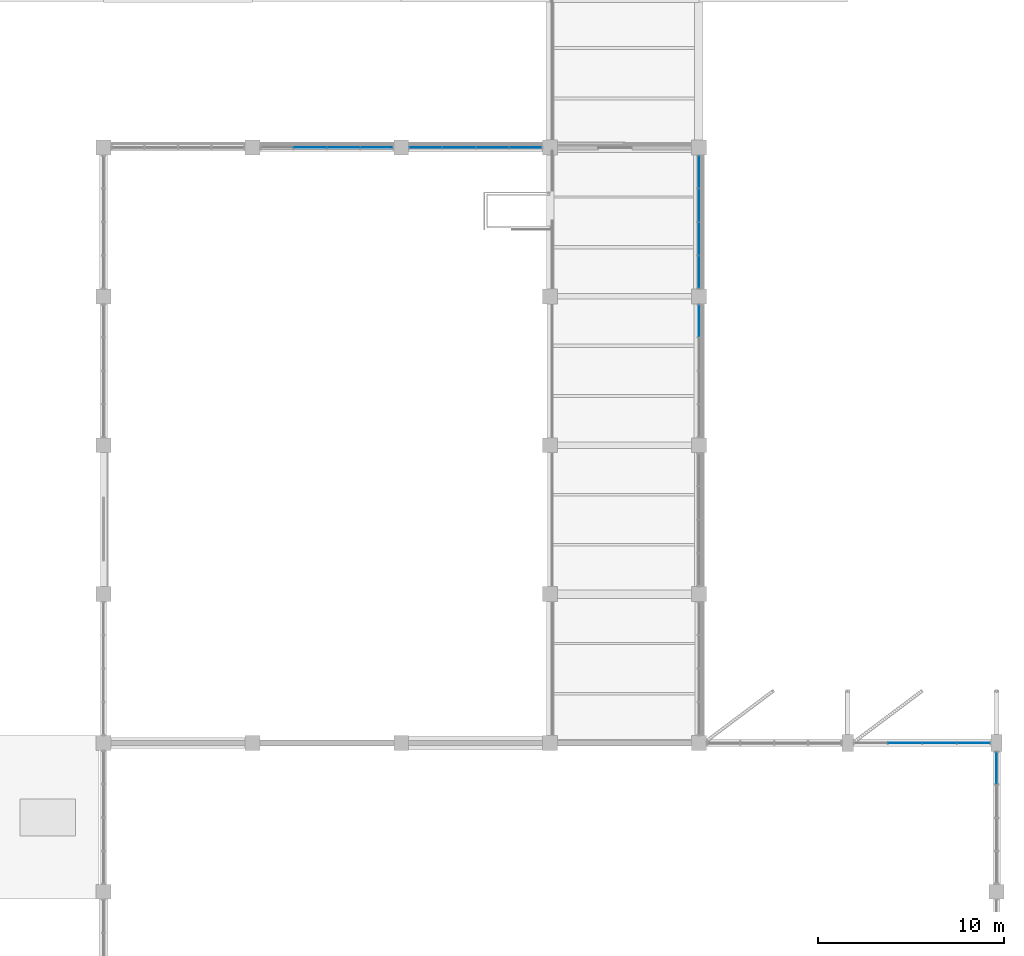
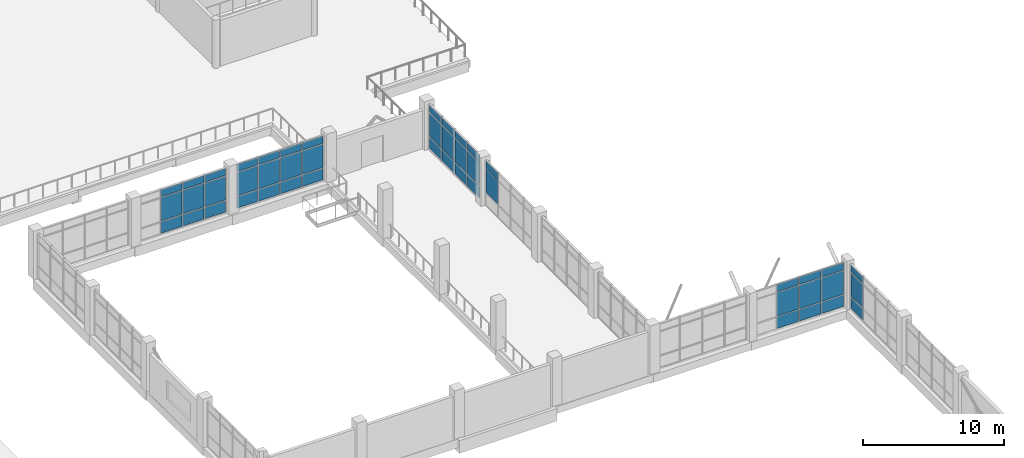
# One storey, part 69 of 84: 47 plates, 6 elements without a shape of their own.
"""IFC4 building model written with IfcOpenShell, lengths in metres."""

from ifc_helpers import new_model, si_unit, direction, frame, origin, origin_2d, place, context, subcontext, project, spatial, rectangle, extrude, material, layer, layer_set, type_object, element, aggregate, save


model = new_model("IFC4")

# Units and contexts
model_context = context("Model", 3, precision=1e-05, world=origin(), true_north=direction((0.0, 1.0)))
body_context = subcontext(model_context, "Body", "Model", "MODEL_VIEW")
ifc_project = project(units=[si_unit("LENGTHUNIT", "METRE"), si_unit("AREAUNIT", "SQUARE_METRE"), si_unit("VOLUMEUNIT", "CUBIC_METRE"), si_unit("PLANEANGLEUNIT", "RADIAN"), si_unit("MASSUNIT", "GRAM", prefix="KILO")], contexts=[model_context])

# Site, building, storey
site_placement = place(None, origin())
site = spatial("IfcSite", under=ifc_project, at=site_placement, CompositionType="ELEMENT")
building_placement = place(site_placement, origin())
building = spatial("IfcBuilding", under=site, at=building_placement, Name="Tenunan Teduh Sports Hall", CompositionType="ELEMENT")
storey_placement = place(building_placement, frame((0.0, 0.0, 10.800048828125)))
storey = spatial("IfcBuildingStorey", under=building, at=storey_placement, Name="L02", CompositionType="ELEMENT", Elevation=10.800048828125)

# Curtain wall, plates
ifc_material_1 = material(Name="Anodised aluminium", Category="aluminium")
curtain_wall_type_1 = type_object("IfcCurtainWallType", Name="CW-UNIT-2", PredefinedType="NOTDEFINED", material=ifc_material_1)
curtain_wall_1_placement = place(storey_placement, origin())
curtain_wall_1 = element("IfcCurtainWall", 1, at=curtain_wall_1_placement, inside=storey, type_object=curtain_wall_type_1, Name="CW-CWM-175-L02-130", PredefinedType="NOTDEFINED")
ifc_material_2 = material(Name="Low-E laminated double glazing", Category="glass")
ifc_layer_1 = layer(ifc_material_2, 0.028076171875)
ifc_layer_set_1 = layer_set([ifc_layer_1], Name="Low-E laminated double glazing")
plate_type_1 = type_object("IfcPlateType", Name="CWP-GLZ-28", PredefinedType="CURTAIN_PANEL", material=ifc_layer_set_1)
plate_1_placement = place(storey_placement, frame((139.316162109375, 78.0, 1.13232421875), z_axis=(0.0, 0.0, 1.0), x_axis=(1.0, 0.0, 0.0)))
plate_1 = element("IfcPlate", 2, at=plate_1_placement, type_object=plate_type_1, Name="CW-02 panel 1.2", PredefinedType="CURTAIN_PANEL", context=body_context, shape_type="SweptSolid", body=[
    extrude(rectangle(XDim=1.702392578125, YDim=0.028076171875, at=origin_2d()), origin(), (0.0, 0.0, 1.0), 2.034912109375),
])
plate_2_placement = place(storey_placement, frame((139.316162109375, 78.0, 3.232421875), z_axis=(0.0, 0.0, 1.0), x_axis=(1.0, 0.0, 0.0)))
plate_2 = element("IfcPlate", 3, at=plate_2_placement, type_object=plate_type_1, Name="CW-02 panel 1.3", PredefinedType="CURTAIN_PANEL", context=body_context, shape_type="SweptSolid", body=[
    extrude(rectangle(XDim=1.702392578125, YDim=0.028076171875, at=origin_2d()), origin(), (0.0, 0.0, 1.0), 0.62255859375),
])
plate_3_placement = place(storey_placement, frame((141.10009765625, 78.0, 1.13232421875), z_axis=(0.0, 0.0, 1.0), x_axis=(1.0, 0.0, 0.0)))
plate_3 = element("IfcPlate", 4, at=plate_3_placement, type_object=plate_type_1, Name="CW-02 panel 2.2", PredefinedType="CURTAIN_PANEL", context=body_context, shape_type="SweptSolid", body=[
    extrude(rectangle(XDim=1.735107421875, YDim=0.028076171875, at=origin_2d()), origin(), (0.0, 0.0, 1.0), 2.034912109375),
])
plate_4_placement = place(storey_placement, frame((141.10009765625, 78.0, 3.232421875), z_axis=(0.0, 0.0, 1.0), x_axis=(1.0, 0.0, 0.0)))
plate_4 = element("IfcPlate", 5, at=plate_4_placement, type_object=plate_type_1, Name="CW-02 panel 2.3", PredefinedType="CURTAIN_PANEL", context=body_context, shape_type="SweptSolid", body=[
    extrude(rectangle(XDim=1.735107421875, YDim=0.028076171875, at=origin_2d()), origin(), (0.0, 0.0, 1.0), 0.62255859375),
])
plate_5_placement = place(storey_placement, frame((142.89990234375, 78.0, 1.13232421875), z_axis=(0.0, 0.0, 1.0), x_axis=(1.0, 0.0, 0.0)))
plate_5 = element("IfcPlate", 6, at=plate_5_placement, type_object=plate_type_1, Name="CW-02 panel 3.2", PredefinedType="CURTAIN_PANEL", context=body_context, shape_type="SweptSolid", body=[
    extrude(rectangle(XDim=1.735107421875, YDim=0.028076171875, at=origin_2d()), origin(), (0.0, 0.0, 1.0), 2.034912109375),
])
plate_6_placement = place(storey_placement, frame((142.89990234375, 78.0, 3.232421875), z_axis=(0.0, 0.0, 1.0), x_axis=(1.0, 0.0, 0.0)))
plate_6 = element("IfcPlate", 7, at=plate_6_placement, type_object=plate_type_1, Name="CW-02 panel 3.3", PredefinedType="CURTAIN_PANEL", context=body_context, shape_type="SweptSolid", body=[
    extrude(rectangle(XDim=1.735107421875, YDim=0.028076171875, at=origin_2d()), origin(), (0.0, 0.0, 1.0), 0.62255859375),
])
plate_7_placement = place(storey_placement, frame((144.683837890625, 78.0, 1.13232421875), z_axis=(0.0, 0.0, 1.0), x_axis=(1.0, 0.0, 0.0)))
plate_7 = element("IfcPlate", 8, at=plate_7_placement, type_object=plate_type_1, Name="CW-02 panel 4.2", PredefinedType="CURTAIN_PANEL", context=body_context, shape_type="SweptSolid", body=[
    extrude(rectangle(XDim=1.702392578125, YDim=0.028076171875, at=origin_2d()), origin(), (0.0, 0.0, 1.0), 2.034912109375),
])
plate_8_placement = place(storey_placement, frame((144.683837890625, 78.0, 3.232421875), z_axis=(0.0, 0.0, 1.0), x_axis=(1.0, 0.0, 0.0)))
plate_8 = element("IfcPlate", 9, at=plate_8_placement, type_object=plate_type_1, Name="CW-02 panel 4.3", PredefinedType="CURTAIN_PANEL", context=body_context, shape_type="SweptSolid", body=[
    extrude(rectangle(XDim=1.702392578125, YDim=0.028076171875, at=origin_2d()), origin(), (0.0, 0.0, 1.0), 0.62255859375),
])

ifc_material_3 = material(Name="Anodised aluminium", Category="aluminium")
curtain_wall_type_2 = type_object("IfcCurtainWallType", Name="CW-CLER-1", PredefinedType="NOTDEFINED", material=ifc_material_3)
curtain_wall_2_placement = place(storey_placement, origin())
curtain_wall_2 = element("IfcCurtainWall", 10, at=curtain_wall_2_placement, inside=storey, type_object=curtain_wall_type_2, Name="CW-CWM-150-L02-027", PredefinedType="NOTDEFINED")
ifc_material_4 = material(Name="Solar-control laminated glazing", Category="glass")
ifc_layer_2 = layer(ifc_material_4, 0.031982421875)
ifc_layer_set_2 = layer_set([ifc_layer_2], Name="Solar-control laminated glazing")
plate_type_2 = type_object("IfcPlateType", Name="CWP-GLZ-32", PredefinedType="CURTAIN_PANEL", material=ifc_layer_set_2)
plate_9_placement = place(storey_placement, frame((165.074951171875, 46.0, 1.1298828125), z_axis=(0.0, 0.0, 1.0), x_axis=(1.0, 0.0, 0.0)))
plate_9 = element("IfcPlate", 11, at=plate_9_placement, type_object=plate_type_2, Name="CW-03 panel 2.2", PredefinedType="CURTAIN_PANEL", context=body_context, shape_type="SweptSolid", body=[
    extrude(rectangle(XDim=1.7900390625, YDim=0.031982421875, at=origin_2d()), origin(), (0.0, 0.0, 1.0), 2.0400390625),
])
plate_10_placement = place(storey_placement, frame((165.074951171875, 46.0, 3.22998046875), z_axis=(0.0, 0.0, 1.0), x_axis=(1.0, 0.0, 0.0)))
plate_10 = element("IfcPlate", 12, at=plate_10_placement, type_object=plate_type_2, Name="CW-03 panel 2.3", PredefinedType="CURTAIN_PANEL", context=body_context, shape_type="SweptSolid", body=[
    extrude(rectangle(XDim=1.7900390625, YDim=0.031982421875, at=origin_2d()), origin(), (0.0, 0.0, 1.0), 0.6298828125),
])
plate_11_placement = place(storey_placement, frame((166.925048828125, 46.0, 1.1298828125), z_axis=(0.0, 0.0, 1.0), x_axis=(1.0, 0.0, 0.0)))
plate_11 = element("IfcPlate", 13, at=plate_11_placement, type_object=plate_type_2, Name="CW-03 panel 3.2", PredefinedType="CURTAIN_PANEL", context=body_context, shape_type="SweptSolid", body=[
    extrude(rectangle(XDim=1.7900390625, YDim=0.031982421875, at=origin_2d()), origin(), (0.0, 0.0, 1.0), 2.0400390625),
])
plate_12_placement = place(storey_placement, frame((166.925048828125, 46.0, 3.22998046875), z_axis=(0.0, 0.0, 1.0), x_axis=(1.0, 0.0, 0.0)))
plate_12 = element("IfcPlate", 14, at=plate_12_placement, type_object=plate_type_2, Name="CW-03 panel 3.3", PredefinedType="CURTAIN_PANEL", context=body_context, shape_type="SweptSolid", body=[
    extrude(rectangle(XDim=1.7900390625, YDim=0.031982421875, at=origin_2d()), origin(), (0.0, 0.0, 1.0), 0.6298828125),
])
plate_13_placement = place(storey_placement, frame((168.760009765625, 46.0, 1.1298828125), z_axis=(0.0, 0.0, 1.0), x_axis=(1.0, 0.0, 0.0)))
plate_13 = element("IfcPlate", 15, at=plate_13_placement, type_object=plate_type_2, Name="CW-03 panel 4.2", PredefinedType="CURTAIN_PANEL", context=body_context, shape_type="SweptSolid", body=[
    extrude(rectangle(XDim=1.760009765625, YDim=0.031982421875, at=origin_2d()), origin(), (0.0, 0.0, 1.0), 2.0400390625),
])
plate_14_placement = place(storey_placement, frame((168.760009765625, 46.0, 3.22998046875), z_axis=(0.0, 0.0, 1.0), x_axis=(1.0, 0.0, 0.0)))
plate_14 = element("IfcPlate", 16, at=plate_14_placement, type_object=plate_type_2, Name="CW-03 panel 4.3", PredefinedType="CURTAIN_PANEL", context=body_context, shape_type="SweptSolid", body=[
    extrude(rectangle(XDim=1.760009765625, YDim=0.031982421875, at=origin_2d()), origin(), (0.0, 0.0, 1.0), 0.6298828125),
])

curtain_wall_3_placement = place(storey_placement, origin())
curtain_wall_3 = element("IfcCurtainWall", 17, at=curtain_wall_3_placement, inside=storey, type_object=curtain_wall_type_1, Name="CW-CWM-220-L02-033", PredefinedType="NOTDEFINED")
plate_15_placement = place(storey_placement, frame((170.0, 44.637451171875, 1.137451171875), z_axis=(0.0, 0.0, 1.0), x_axis=(0.0, 1.0, 0.0)))
plate_15 = element("IfcPlate", 18, at=plate_15_placement, type_object=plate_type_2, Name="CW-02 panel 4.2", PredefinedType="CURTAIN_PANEL", context=body_context, shape_type="SweptSolid", body=[
    extrude(rectangle(XDim=1.675048828125, YDim=0.031982421875, at=origin_2d()), origin(), (0.0, 0.0, 1.0), 2.02490234375),
])
plate_16_placement = place(storey_placement, frame((170.0, 44.637451171875, 3.237548828125), z_axis=(0.0, 0.0, 1.0), x_axis=(0.0, 1.0, 0.0)))
plate_16 = element("IfcPlate", 19, at=plate_16_placement, type_object=plate_type_2, Name="CW-02 panel 4.3", PredefinedType="CURTAIN_PANEL", context=body_context, shape_type="SweptSolid", body=[
    extrude(rectangle(XDim=1.675048828125, YDim=0.031982421875, at=origin_2d()), origin(), (0.0, 0.0, 1.0), 0.607421875),
])

curtain_wall_4_placement = place(storey_placement, origin())
curtain_wall_4 = element("IfcCurtainWall", 20, at=curtain_wall_4_placement, inside=storey, type_object=curtain_wall_type_1, Name="CW-CWM-220-L02-129", PredefinedType="NOTDEFINED")
plate_17_placement = place(storey_placement, frame((133.10009765625, 78.0, 1.137451171875), z_axis=(0.0, 0.0, 1.0), x_axis=(1.0, 0.0, 0.0)))
plate_17 = element("IfcPlate", 21, at=plate_17_placement, type_object=plate_type_2, Name="CW-02 panel 2.2", PredefinedType="CURTAIN_PANEL", context=body_context, shape_type="SweptSolid", body=[
    extrude(rectangle(XDim=1.72509765625, YDim=0.031982421875, at=origin_2d()), origin(), (0.0, 0.0, 1.0), 2.02490234375),
])
plate_18_placement = place(storey_placement, frame((133.10009765625, 78.0, 3.237548828125), z_axis=(0.0, 0.0, 1.0), x_axis=(1.0, 0.0, 0.0)))
plate_18 = element("IfcPlate", 22, at=plate_18_placement, type_object=plate_type_2, Name="CW-02 panel 2.3", PredefinedType="CURTAIN_PANEL", context=body_context, shape_type="SweptSolid", body=[
    extrude(rectangle(XDim=1.72509765625, YDim=0.031982421875, at=origin_2d()), origin(), (0.0, 0.0, 1.0), 0.607421875),
])
plate_19_placement = place(storey_placement, frame((134.89990234375, 78.0, 1.137451171875), z_axis=(0.0, 0.0, 1.0), x_axis=(1.0, 0.0, 0.0)))
plate_19 = element("IfcPlate", 23, at=plate_19_placement, type_object=plate_type_2, Name="CW-02 panel 3.2", PredefinedType="CURTAIN_PANEL", context=body_context, shape_type="SweptSolid", body=[
    extrude(rectangle(XDim=1.72509765625, YDim=0.031982421875, at=origin_2d()), origin(), (0.0, 0.0, 1.0), 2.02490234375),
])
plate_20_placement = place(storey_placement, frame((134.89990234375, 78.0, 3.237548828125), z_axis=(0.0, 0.0, 1.0), x_axis=(1.0, 0.0, 0.0)))
plate_20 = element("IfcPlate", 24, at=plate_20_placement, type_object=plate_type_2, Name="CW-02 panel 3.3", PredefinedType="CURTAIN_PANEL", context=body_context, shape_type="SweptSolid", body=[
    extrude(rectangle(XDim=1.72509765625, YDim=0.031982421875, at=origin_2d()), origin(), (0.0, 0.0, 1.0), 0.607421875),
])
plate_21_placement = place(storey_placement, frame((136.68115234375, 78.0, 1.137451171875), z_axis=(0.0, 0.0, 1.0), x_axis=(1.0, 0.0, 0.0)))
plate_21 = element("IfcPlate", 25, at=plate_21_placement, type_object=plate_type_2, Name="CW-02 panel 4.2", PredefinedType="CURTAIN_PANEL", context=body_context, shape_type="SweptSolid", body=[
    extrude(rectangle(XDim=1.6875, YDim=0.031982421875, at=origin_2d()), origin(), (0.0, 0.0, 1.0), 2.02490234375),
])
plate_22_placement = place(storey_placement, frame((136.68115234375, 78.0, 3.237548828125), z_axis=(0.0, 0.0, 1.0), x_axis=(1.0, 0.0, 0.0)))
plate_22 = element("IfcPlate", 26, at=plate_22_placement, type_object=plate_type_2, Name="CW-02 panel 4.3", PredefinedType="CURTAIN_PANEL", context=body_context, shape_type="SweptSolid", body=[
    extrude(rectangle(XDim=1.6875, YDim=0.031982421875, at=origin_2d()), origin(), (0.0, 0.0, 1.0), 0.607421875),
])

curtain_wall_5_placement = place(storey_placement, origin())
curtain_wall_5 = element("IfcCurtainWall", 27, at=curtain_wall_5_placement, inside=storey, type_object=curtain_wall_type_1, Name="CW-CWM-150-L02-135", PredefinedType="NOTDEFINED")
plate_23_placement = place(storey_placement, frame((154.0, 68.68505859375, 1.1298828125), z_axis=(0.0, 0.0, 1.0), x_axis=(0.0, 1.0, 0.0)))
plate_23 = element("IfcPlate", 28, at=plate_23_placement, type_object=plate_type_2, Name="CW-02 panel 4.2", PredefinedType="CURTAIN_PANEL", context=body_context, shape_type="SweptSolid", body=[
    extrude(rectangle(XDim=1.7099609375, YDim=0.031982421875, at=origin_2d()), origin(), (0.0, 0.0, 1.0), 2.0400390625),
])
plate_24_placement = place(storey_placement, frame((154.0, 68.68505859375, 3.22998046875), z_axis=(0.0, 0.0, 1.0), x_axis=(0.0, 1.0, 0.0)))
plate_24 = element("IfcPlate", 29, at=plate_24_placement, type_object=plate_type_2, Name="CW-02 panel 4.3", PredefinedType="CURTAIN_PANEL", context=body_context, shape_type="SweptSolid", body=[
    extrude(rectangle(XDim=1.7099609375, YDim=0.031982421875, at=origin_2d()), origin(), (0.0, 0.0, 1.0), 0.6298828125),
])
aggregate(curtain_wall_5, [plate_23, plate_24])

curtain_wall_6_placement = place(storey_placement, origin())
curtain_wall_6 = element("IfcCurtainWall", 30, at=curtain_wall_6_placement, inside=storey, type_object=curtain_wall_type_1, Name="CW-CWM-220-L02-137", PredefinedType="NOTDEFINED")
plate_25_placement = place(storey_placement, frame((154.0, 71.31884765625, 1.137451171875), z_axis=(0.0, 0.0, 1.0), x_axis=(0.0, 1.0, 0.0)))
plate_25 = element("IfcPlate", 31, at=plate_25_placement, type_object=plate_type_2, Name="CW-02 panel 1.2", PredefinedType="CURTAIN_PANEL", context=body_context, shape_type="SweptSolid", body=[
    extrude(rectangle(XDim=1.6875, YDim=0.031982421875, at=origin_2d()), origin(), (0.0, 0.0, 1.0), 2.02490234375),
])
plate_26_placement = place(storey_placement, frame((154.0, 71.31884765625, 3.237548828125), z_axis=(0.0, 0.0, 1.0), x_axis=(0.0, 1.0, 0.0)))
plate_26 = element("IfcPlate", 32, at=plate_26_placement, type_object=plate_type_2, Name="CW-02 panel 1.3", PredefinedType="CURTAIN_PANEL", context=body_context, shape_type="SweptSolid", body=[
    extrude(rectangle(XDim=1.6875, YDim=0.031982421875, at=origin_2d()), origin(), (0.0, 0.0, 1.0), 0.607421875),
])
plate_27_placement = place(storey_placement, frame((154.0, 73.10009765625, 1.137451171875), z_axis=(0.0, 0.0, 1.0), x_axis=(0.0, 1.0, 0.0)))
plate_27 = element("IfcPlate", 33, at=plate_27_placement, type_object=plate_type_2, Name="CW-02 panel 2.2", PredefinedType="CURTAIN_PANEL", context=body_context, shape_type="SweptSolid", body=[
    extrude(rectangle(XDim=1.72509765625, YDim=0.031982421875, at=origin_2d()), origin(), (0.0, 0.0, 1.0), 2.02490234375),
])
plate_28_placement = place(storey_placement, frame((154.0, 73.10009765625, 3.237548828125), z_axis=(0.0, 0.0, 1.0), x_axis=(0.0, 1.0, 0.0)))
plate_28 = element("IfcPlate", 34, at=plate_28_placement, type_object=plate_type_2, Name="CW-02 panel 2.3", PredefinedType="CURTAIN_PANEL", context=body_context, shape_type="SweptSolid", body=[
    extrude(rectangle(XDim=1.72509765625, YDim=0.031982421875, at=origin_2d()), origin(), (0.0, 0.0, 1.0), 0.607421875),
])
plate_29_placement = place(storey_placement, frame((154.0, 74.89990234375, 1.137451171875), z_axis=(0.0, 0.0, 1.0), x_axis=(0.0, 1.0, 0.0)))
plate_29 = element("IfcPlate", 35, at=plate_29_placement, type_object=plate_type_2, Name="CW-02 panel 3.2", PredefinedType="CURTAIN_PANEL", context=body_context, shape_type="SweptSolid", body=[
    extrude(rectangle(XDim=1.72509765625, YDim=0.031982421875, at=origin_2d()), origin(), (0.0, 0.0, 1.0), 2.02490234375),
])
plate_30_placement = place(storey_placement, frame((154.0, 74.89990234375, 3.237548828125), z_axis=(0.0, 0.0, 1.0), x_axis=(0.0, 1.0, 0.0)))
plate_30 = element("IfcPlate", 36, at=plate_30_placement, type_object=plate_type_2, Name="CW-02 panel 3.3", PredefinedType="CURTAIN_PANEL", context=body_context, shape_type="SweptSolid", body=[
    extrude(rectangle(XDim=1.72509765625, YDim=0.031982421875, at=origin_2d()), origin(), (0.0, 0.0, 1.0), 0.607421875),
])
plate_31_placement = place(storey_placement, frame((154.0, 76.68115234375, 1.137451171875), z_axis=(0.0, 0.0, 1.0), x_axis=(0.0, 1.0, 0.0)))
plate_31 = element("IfcPlate", 37, at=plate_31_placement, type_object=plate_type_2, Name="CW-02 panel 4.2", PredefinedType="CURTAIN_PANEL", context=body_context, shape_type="SweptSolid", body=[
    extrude(rectangle(XDim=1.6875, YDim=0.031982421875, at=origin_2d()), origin(), (0.0, 0.0, 1.0), 2.02490234375),
])
plate_32_placement = place(storey_placement, frame((154.0, 76.68115234375, 3.237548828125), z_axis=(0.0, 0.0, 1.0), x_axis=(0.0, 1.0, 0.0)))
plate_32 = element("IfcPlate", 38, at=plate_32_placement, type_object=plate_type_2, Name="CW-02 panel 4.3", PredefinedType="CURTAIN_PANEL", context=body_context, shape_type="SweptSolid", body=[
    extrude(rectangle(XDim=1.6875, YDim=0.031982421875, at=origin_2d()), origin(), (0.0, 0.0, 1.0), 0.607421875),
])

# Plate
ifc_material_5 = material(Name="Insulated aluminium spandrel panel", Category="aluminium")
ifc_layer_3 = layer(ifc_material_5, 0.044921875)
ifc_layer_set_3 = layer_set([ifc_layer_3], Name="Insulated aluminium spandrel panel")
plate_type_3 = type_object("IfcPlateType", Name="CWP-SPN-45", PredefinedType="CURTAIN_PANEL", material=ifc_layer_set_3)
plate_33_placement = place(storey_placement, frame((165.074951171875, 46.0, 0.06005859375), z_axis=(0.0, 0.0, 1.0), x_axis=(1.0, 0.0, 0.0)))
plate_33 = element("IfcPlate", 39, at=plate_33_placement, type_object=plate_type_3, Name="CW-03 panel 2.1", PredefinedType="CURTAIN_PANEL", context=body_context, shape_type="SweptSolid", body=[
    extrude(rectangle(XDim=1.7900390625, YDim=0.031982421875, at=origin_2d()), origin(), (0.0, 0.0, 1.0), 1.010009765625),
])

plate_34_placement = place(storey_placement, frame((166.925048828125, 46.0, 0.06005859375), z_axis=(0.0, 0.0, 1.0), x_axis=(1.0, 0.0, 0.0)))
plate_34 = element("IfcPlate", 40, at=plate_34_placement, type_object=plate_type_3, Name="CW-03 panel 3.1", PredefinedType="CURTAIN_PANEL", context=body_context, shape_type="SweptSolid", body=[
    extrude(rectangle(XDim=1.7900390625, YDim=0.031982421875, at=origin_2d()), origin(), (0.0, 0.0, 1.0), 1.010009765625),
])

plate_35_placement = place(storey_placement, frame((168.760009765625, 46.0, 0.06005859375), z_axis=(0.0, 0.0, 1.0), x_axis=(1.0, 0.0, 0.0)))
plate_35 = element("IfcPlate", 41, at=plate_35_placement, type_object=plate_type_3, Name="CW-03 panel 4.1", PredefinedType="CURTAIN_PANEL", context=body_context, shape_type="SweptSolid", body=[
    extrude(rectangle(XDim=1.760009765625, YDim=0.031982421875, at=origin_2d()), origin(), (0.0, 0.0, 1.0), 1.010009765625),
])

aggregate(curtain_wall_2, [plate_33, plate_9, plate_10, plate_34, plate_11, plate_12, plate_35, plate_13, plate_14])

plate_36_placement = place(storey_placement, frame((170.0, 44.637451171875, 0.07470703125), z_axis=(0.0, 0.0, 1.0), x_axis=(0.0, 1.0, 0.0)))
plate_36 = element("IfcPlate", 42, at=plate_36_placement, type_object=plate_type_3, Name="CW-02 panel 4.1", PredefinedType="CURTAIN_PANEL", context=body_context, shape_type="SweptSolid", body=[
    extrude(rectangle(XDim=1.675048828125, YDim=0.031982421875, at=origin_2d()), origin(), (0.0, 0.0, 1.0), 0.987548828125),
])

aggregate(curtain_wall_3, [plate_36, plate_15, plate_16])

plate_37_placement = place(storey_placement, frame((133.10009765625, 78.0, 0.07470703125), z_axis=(0.0, 0.0, 1.0), x_axis=(1.0, 0.0, 0.0)))
plate_37 = element("IfcPlate", 43, at=plate_37_placement, type_object=plate_type_3, Name="CW-02 panel 2.1", PredefinedType="CURTAIN_PANEL", context=body_context, shape_type="SweptSolid", body=[
    extrude(rectangle(XDim=1.72509765625, YDim=0.031982421875, at=origin_2d()), origin(), (0.0, 0.0, 1.0), 0.987548828125),
])

plate_38_placement = place(storey_placement, frame((134.89990234375, 78.0, 0.07470703125), z_axis=(0.0, 0.0, 1.0), x_axis=(1.0, 0.0, 0.0)))
plate_38 = element("IfcPlate", 44, at=plate_38_placement, type_object=plate_type_3, Name="CW-02 panel 3.1", PredefinedType="CURTAIN_PANEL", context=body_context, shape_type="SweptSolid", body=[
    extrude(rectangle(XDim=1.72509765625, YDim=0.031982421875, at=origin_2d()), origin(), (0.0, 0.0, 1.0), 0.987548828125),
])

plate_39_placement = place(storey_placement, frame((136.68115234375, 78.0, 0.07470703125), z_axis=(0.0, 0.0, 1.0), x_axis=(1.0, 0.0, 0.0)))
plate_39 = element("IfcPlate", 45, at=plate_39_placement, type_object=plate_type_3, Name="CW-02 panel 4.1", PredefinedType="CURTAIN_PANEL", context=body_context, shape_type="SweptSolid", body=[
    extrude(rectangle(XDim=1.6875, YDim=0.031982421875, at=origin_2d()), origin(), (0.0, 0.0, 1.0), 0.987548828125),
])

aggregate(curtain_wall_4, [plate_37, plate_17, plate_18, plate_38, plate_19, plate_20, plate_39, plate_21, plate_22])

plate_40_placement = place(storey_placement, frame((139.316162109375, 78.0, 0.06494140625), z_axis=(0.0, 0.0, 1.0), x_axis=(1.0, 0.0, 0.0)))
plate_40 = element("IfcPlate", 46, at=plate_40_placement, type_object=plate_type_3, Name="CW-02 panel 1.1", PredefinedType="CURTAIN_PANEL", context=body_context, shape_type="SweptSolid", body=[
    extrude(rectangle(XDim=1.702392578125, YDim=0.028076171875, at=origin_2d()), origin(), (0.0, 0.0, 1.0), 1.00244140625),
])

plate_41_placement = place(storey_placement, frame((141.10009765625, 78.0, 0.06494140625), z_axis=(0.0, 0.0, 1.0), x_axis=(1.0, 0.0, 0.0)))
plate_41 = element("IfcPlate", 47, at=plate_41_placement, type_object=plate_type_3, Name="CW-02 panel 2.1", PredefinedType="CURTAIN_PANEL", context=body_context, shape_type="SweptSolid", body=[
    extrude(rectangle(XDim=1.735107421875, YDim=0.028076171875, at=origin_2d()), origin(), (0.0, 0.0, 1.0), 1.00244140625),
])

plate_42_placement = place(storey_placement, frame((142.89990234375, 78.0, 0.06494140625), z_axis=(0.0, 0.0, 1.0), x_axis=(1.0, 0.0, 0.0)))
plate_42 = element("IfcPlate", 48, at=plate_42_placement, type_object=plate_type_3, Name="CW-02 panel 3.1", PredefinedType="CURTAIN_PANEL", context=body_context, shape_type="SweptSolid", body=[
    extrude(rectangle(XDim=1.735107421875, YDim=0.028076171875, at=origin_2d()), origin(), (0.0, 0.0, 1.0), 1.00244140625),
])

plate_43_placement = place(storey_placement, frame((144.683837890625, 78.0, 0.06494140625), z_axis=(0.0, 0.0, 1.0), x_axis=(1.0, 0.0, 0.0)))
plate_43 = element("IfcPlate", 49, at=plate_43_placement, type_object=plate_type_3, Name="CW-02 panel 4.1", PredefinedType="CURTAIN_PANEL", context=body_context, shape_type="SweptSolid", body=[
    extrude(rectangle(XDim=1.702392578125, YDim=0.028076171875, at=origin_2d()), origin(), (0.0, 0.0, 1.0), 1.00244140625),
])

aggregate(curtain_wall_1, [plate_40, plate_1, plate_2, plate_41, plate_3, plate_4, plate_42, plate_5, plate_6, plate_43, plate_7, plate_8])

plate_44_placement = place(storey_placement, frame((154.0, 71.31884765625, 0.07470703125), z_axis=(0.0, 0.0, 1.0), x_axis=(0.0, 1.0, 0.0)))
plate_44 = element("IfcPlate", 50, at=plate_44_placement, type_object=plate_type_3, Name="CW-02 panel 1.1", PredefinedType="CURTAIN_PANEL", context=body_context, shape_type="SweptSolid", body=[
    extrude(rectangle(XDim=1.6875, YDim=0.031982421875, at=origin_2d()), origin(), (0.0, 0.0, 1.0), 0.987548828125),
])

plate_45_placement = place(storey_placement, frame((154.0, 73.10009765625, 0.07470703125), z_axis=(0.0, 0.0, 1.0), x_axis=(0.0, 1.0, 0.0)))
plate_45 = element("IfcPlate", 51, at=plate_45_placement, type_object=plate_type_3, Name="CW-02 panel 2.1", PredefinedType="CURTAIN_PANEL", context=body_context, shape_type="SweptSolid", body=[
    extrude(rectangle(XDim=1.72509765625, YDim=0.031982421875, at=origin_2d()), origin(), (0.0, 0.0, 1.0), 0.987548828125),
])

plate_46_placement = place(storey_placement, frame((154.0, 74.89990234375, 0.07470703125), z_axis=(0.0, 0.0, 1.0), x_axis=(0.0, 1.0, 0.0)))
plate_46 = element("IfcPlate", 52, at=plate_46_placement, type_object=plate_type_3, Name="CW-02 panel 3.1", PredefinedType="CURTAIN_PANEL", context=body_context, shape_type="SweptSolid", body=[
    extrude(rectangle(XDim=1.72509765625, YDim=0.031982421875, at=origin_2d()), origin(), (0.0, 0.0, 1.0), 0.987548828125),
])

plate_47_placement = place(storey_placement, frame((154.0, 76.68115234375, 0.07470703125), z_axis=(0.0, 0.0, 1.0), x_axis=(0.0, 1.0, 0.0)))
plate_47 = element("IfcPlate", 53, at=plate_47_placement, type_object=plate_type_3, Name="CW-02 panel 4.1", PredefinedType="CURTAIN_PANEL", context=body_context, shape_type="SweptSolid", body=[
    extrude(rectangle(XDim=1.6875, YDim=0.031982421875, at=origin_2d()), origin(), (0.0, 0.0, 1.0), 0.987548828125),
])

aggregate(curtain_wall_6, [plate_44, plate_25, plate_26, plate_45, plate_27, plate_28, plate_46, plate_29, plate_30, plate_47, plate_31, plate_32])

save(model, "model.ifc")
